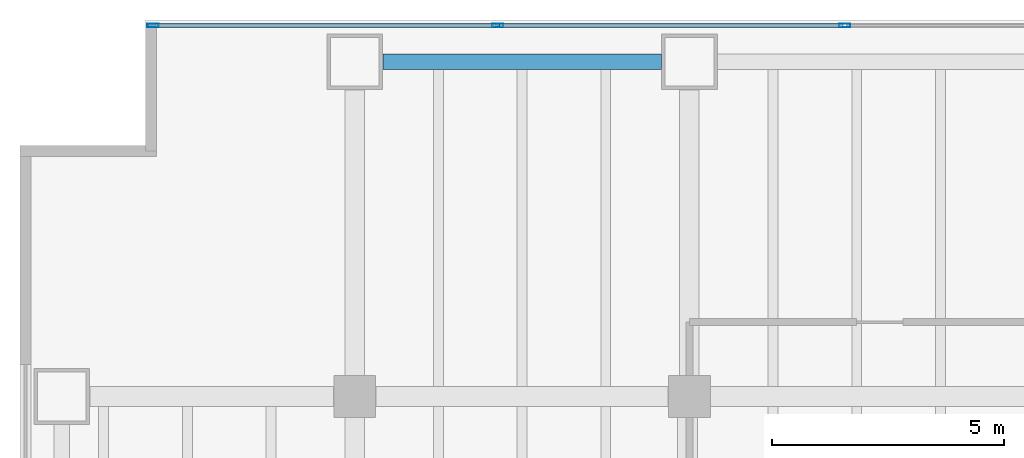
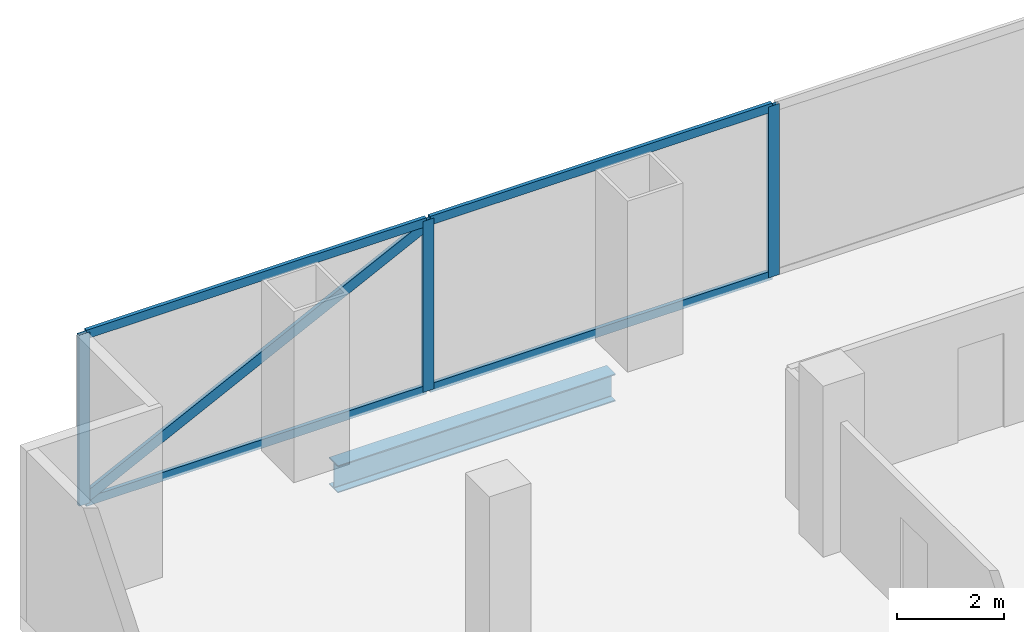
# One storey, part 12 of 34: 8 members, 1 beam, 1 element without a shape of its own.
"""IFC4 building model written with IfcOpenShell, lengths in metres."""

from ifc_helpers import new_model, si_unit, direction, frame, origin, origin_2d, place, context, subcontext, project, spatial, hollow_rectangle, i_section, extrude, material, material_profile, profile_set, type_object, element, aggregate, save


model = new_model("IFC4")

# Units and contexts
model_context = context("Model", 3, precision=1e-05, world=origin(), true_north=direction((0.0, 1.0)))
body_context = subcontext(model_context, "Body", "Model", "MODEL_VIEW")
ifc_project = project(units=[si_unit("LENGTHUNIT", "METRE"), si_unit("AREAUNIT", "SQUARE_METRE"), si_unit("VOLUMEUNIT", "CUBIC_METRE"), si_unit("PLANEANGLEUNIT", "RADIAN"), si_unit("MASSUNIT", "GRAM", prefix="KILO")], contexts=[model_context])

# Site, building, storey
site_placement = place(None, origin())
site = spatial("IfcSite", under=ifc_project, at=site_placement, CompositionType="ELEMENT")
building_placement = place(site_placement, origin())
building = spatial("IfcBuilding", under=site, at=building_placement, Name="Cobrela Telecom Tower", CompositionType="ELEMENT")
storey_placement = place(building_placement, frame((0.0, 0.0, 5.25)))
storey = spatial("IfcBuildingStorey", under=building, at=storey_placement, Name="L01", CompositionType="ELEMENT", Elevation=5.25)

# Beam
ifc_material_1 = material(Name="Steel ASTM A992 Grade 50", Category="steel")
ifc_material_profile_1 = material_profile(ifc_material_1, i_section(OverallWidth=0.327880859375, OverallDepth=0.6220703125, WebThickness=0.015380859375, FlangeThickness=0.0244140625, FilletRadius=0.014892578125, at=origin_2d()), Name="W24X131")
ifc_profile_set_1 = profile_set([ifc_material_profile_1], Name="Steel ASTM A992 Grade 50")
beam_type = type_object("IfcBeamType", Name="BM-SPAND-01", PredefinedType="SPANDREL", material=ifc_profile_set_1)
beam_placement = place(storey_placement, frame((7.804931640625, 49.5, -0.611083984375), z_axis=(1.0, 0.0, 0.0), x_axis=(0.0, 1.0, 0.0)))
element("IfcBeam", 1, at=beam_placement, inside=storey, type_object=beam_type, Name="L01 Perimeter Spandrel X46", PredefinedType="SPANDREL", context=body_context, shape_type="SweptSolid", body=[
    extrude(i_section(OverallWidth=0.327880859375, OverallDepth=0.6220703125, WebThickness=0.015380859375, FlangeThickness=0.0244140625, FilletRadius=0.014892578125, at=origin_2d()), origin(), (0.0, 0.0, 1.0), 5.989990234375),
])

# Curtain wall, members
ifc_material_2 = material(Name="Anodized Bronze Aluminium 6063-T6", Category="aluminium")
curtain_wall_type = type_object("IfcCurtainWallType", Name="CW-SYS-CONC", PredefinedType="USERDEFINED", material=ifc_material_2)
curtain_wall_placement = place(storey_placement, origin())
curtain_wall = element("IfcCurtainWall", 2, at=curtain_wall_placement, inside=storey, type_object=curtain_wall_type, Name="L01 Unitised Bronze Curtain Wall 07", ObjectType="UNITISED CURTAIN WALL", PredefinedType="USERDEFINED")
ifc_material_profile_2 = material_profile(ifc_material_2, hollow_rectangle(XDim=0.080078125, YDim=0.239990234375, WallThickness=0.0048828125, at=origin_2d()), Name="ALU 80x240x5")
ifc_profile_set_2 = profile_set([ifc_material_profile_2], Name="Anodized Bronze Aluminium 6063-T6")
member_type_1 = type_object("IfcMemberType", Name="CW-SYS-CONC-MUL", PredefinedType="MULLION", material=ifc_profile_set_2)
member_1_placement = place(storey_placement, frame((2.860107421875, 50.280029296875, 0.0), z_axis=(0.0, 0.0, 1.0), x_axis=(0.0, 1.0, 0.0)))
member_1 = element("IfcMember", 3, at=member_1_placement, type_object=member_type_1, Name="CW-CONC mullion 1", PredefinedType="MULLION", context=body_context, shape_type="SweptSolid", body=[
    extrude(hollow_rectangle(XDim=0.080078125, YDim=0.239990234375, WallThickness=0.0048828125, at=origin_2d()), origin(), (0.0, 0.0, 1.0), 3.89990234375),
])
member_2_placement = place(storey_placement, frame((10.280029296875, 50.280029296875, 0.0), z_axis=(0.0, 0.0, 1.0), x_axis=(0.0, 1.0, 0.0)))
member_2 = element("IfcMember", 4, at=member_2_placement, type_object=member_type_1, Name="CW-CONC mullion 2", PredefinedType="MULLION", context=body_context, shape_type="SweptSolid", body=[
    extrude(hollow_rectangle(XDim=0.080078125, YDim=0.239990234375, WallThickness=0.0048828125, at=origin_2d()), origin(), (0.0, 0.0, 1.0), 3.89990234375),
])
member_3_placement = place(storey_placement, frame((17.739990234375, 50.280029296875, 0.0), z_axis=(0.0, 0.0, 1.0), x_axis=(0.0, 1.0, 0.0)))
member_3 = element("IfcMember", 5, at=member_3_placement, type_object=member_type_1, Name="CW-CONC mullion 3", PredefinedType="MULLION", context=body_context, shape_type="SweptSolid", body=[
    extrude(hollow_rectangle(XDim=0.080078125, YDim=0.239990234375, WallThickness=0.0048828125, at=origin_2d()), origin(), (0.0, 0.0, 1.0), 3.89990234375),
])
member_4_placement = place(storey_placement, frame((2.820068359375, 50.280029296875, 0.10009765625), z_axis=(0.895865022853, 0.0, 0.444326299952), x_axis=(0.0, 1.0, 0.0)))
member_4 = element("IfcMember", 6, at=member_4_placement, type_object=member_type_1, Name="L01 Faceted Curtain Wall Diagonal Glazing Mullion", PredefinedType="MULLION", context=body_context, shape_type="SweptSolid", body=[
    extrude(hollow_rectangle(XDim=0.080078125, YDim=0.239990234375, WallThickness=0.0048828125, at=origin_2d()), origin(), (0.0, 0.0, 1.0), 8.3271484375),
])
ifc_material_profile_3 = material_profile(ifc_material_2, hollow_rectangle(XDim=0.080078125, YDim=0.199951171875, WallThickness=0.00390625, at=origin_2d()), Name="ALU 80x200x4")
ifc_profile_set_3 = profile_set([ifc_material_profile_3], Name="Anodized Bronze Aluminium 6063-T6")
member_type_2 = type_object("IfcMemberType", Name="CW-SYS-CONC-TRN", PredefinedType="USERDEFINED", material=ifc_profile_set_3)
member_5_placement = place(storey_placement, frame((2.89990234375, 50.280029296875, 0.0400390625), z_axis=(1.0, 0.0, 0.0), x_axis=(0.0, 1.0, 0.0)))
member_5 = element("IfcMember", 7, at=member_5_placement, type_object=member_type_2, Name="CW-CONC transom 1.1", ObjectType="TRANSOM", PredefinedType="USERDEFINED", context=body_context, shape_type="SweptSolid", body=[
    extrude(hollow_rectangle(XDim=0.080078125, YDim=0.199951171875, WallThickness=0.00390625, at=origin_2d()), origin(), (0.0, 0.0, 1.0), 7.340087890625),
])
member_6_placement = place(storey_placement, frame((2.89990234375, 50.280029296875, 3.860107421875), z_axis=(1.0, 0.0, 0.0), x_axis=(0.0, 1.0, 0.0)))
member_6 = element("IfcMember", 8, at=member_6_placement, type_object=member_type_2, Name="CW-CONC transom 1.2", ObjectType="TRANSOM", PredefinedType="USERDEFINED", context=body_context, shape_type="SweptSolid", body=[
    extrude(hollow_rectangle(XDim=0.080078125, YDim=0.199951171875, WallThickness=0.00390625, at=origin_2d()), origin(), (0.0, 0.0, 1.0), 7.340087890625),
])
member_7_placement = place(storey_placement, frame((10.320068359375, 50.280029296875, 0.0400390625), z_axis=(1.0, 0.0, 0.0), x_axis=(0.0, 1.0, 0.0)))
member_7 = element("IfcMember", 9, at=member_7_placement, type_object=member_type_2, Name="CW-CONC transom 2.1", ObjectType="TRANSOM", PredefinedType="USERDEFINED", context=body_context, shape_type="SweptSolid", body=[
    extrude(hollow_rectangle(XDim=0.080078125, YDim=0.199951171875, WallThickness=0.00390625, at=origin_2d()), origin(), (0.0, 0.0, 1.0), 7.3798828125),
])
member_8_placement = place(storey_placement, frame((10.320068359375, 50.280029296875, 3.860107421875), z_axis=(1.0, 0.0, 0.0), x_axis=(0.0, 1.0, 0.0)))
member_8 = element("IfcMember", 10, at=member_8_placement, type_object=member_type_2, Name="CW-CONC transom 2.2", ObjectType="TRANSOM", PredefinedType="USERDEFINED", context=body_context, shape_type="SweptSolid", body=[
    extrude(hollow_rectangle(XDim=0.080078125, YDim=0.199951171875, WallThickness=0.00390625, at=origin_2d()), origin(), (0.0, 0.0, 1.0), 7.3798828125),
])
aggregate(curtain_wall, [member_1, member_2, member_3, member_5, member_6, member_7, member_8, member_4])

save(model, "model.ifc")
